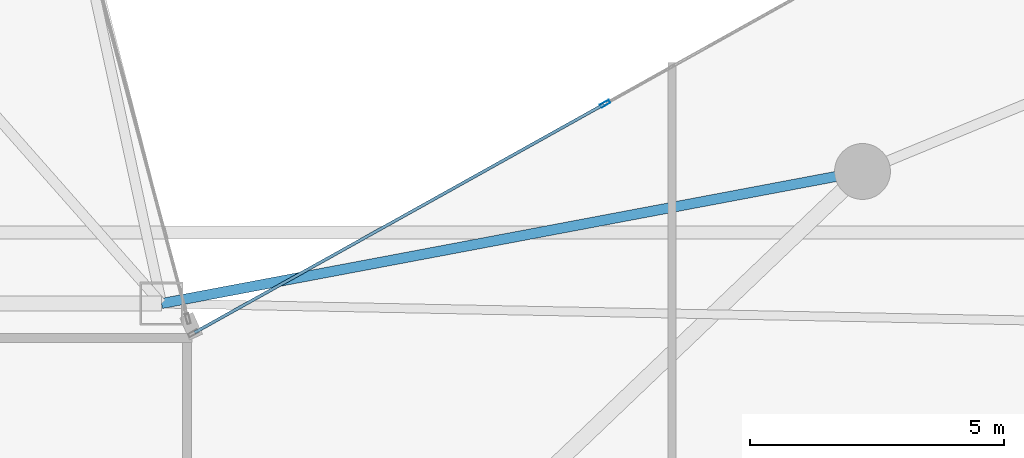
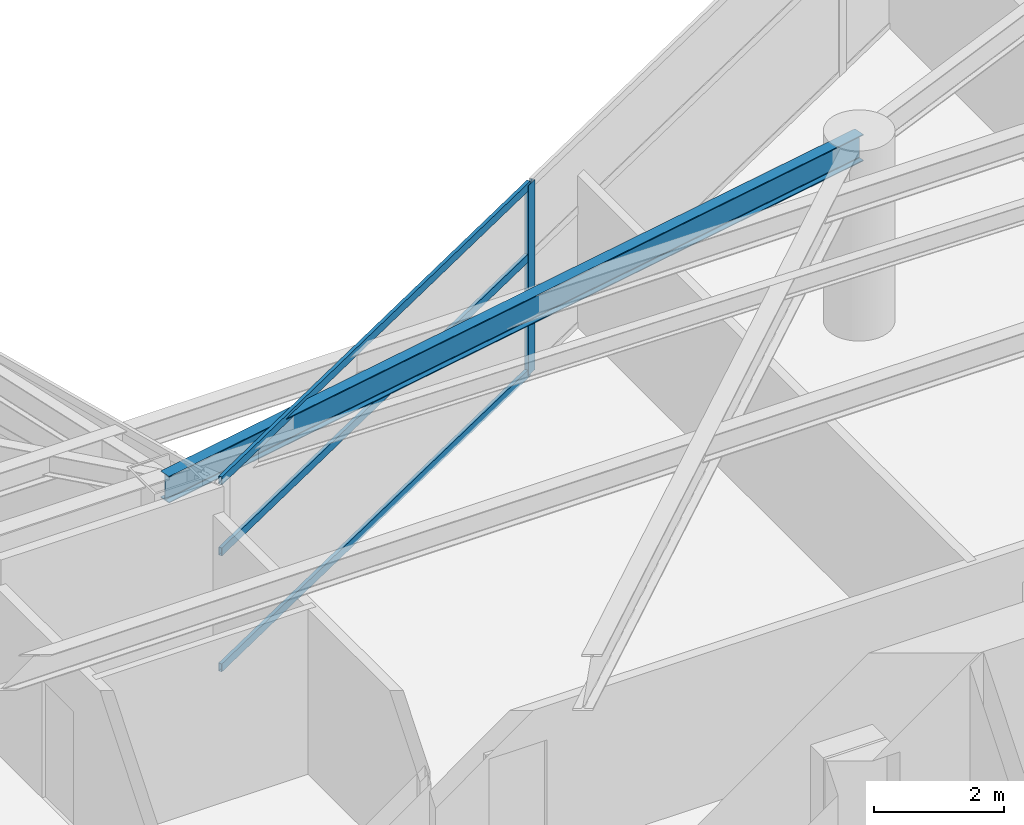
# One storey, part 11 of 28: 4 members, 1 beam, 1 element without a shape of its own.
"""IFC4 building model written with IfcOpenShell, lengths in metres."""

from ifc_helpers import new_model, si_unit, direction, frame, origin, origin_2d, place, context, subcontext, project, spatial, hollow_rectangle, i_section, extrude, material, layer, layer_set, material_profile, profile_set, type_object, element, aggregate, save


model = new_model("IFC4")

# Units and contexts
model_context = context("Model", 3, precision=1e-05, world=origin(), true_north=direction((0.0, 1.0)))
body_context = subcontext(model_context, "Body", "Model", "MODEL_VIEW")
ifc_project = project(units=[si_unit("LENGTHUNIT", "METRE"), si_unit("AREAUNIT", "SQUARE_METRE"), si_unit("VOLUMEUNIT", "CUBIC_METRE"), si_unit("PLANEANGLEUNIT", "RADIAN"), si_unit("MASSUNIT", "GRAM", prefix="KILO")], contexts=[model_context])

# Site, building, storey
site_placement = place(None, origin())
site = spatial("IfcSite", under=ifc_project, at=site_placement, CompositionType="ELEMENT")
building_placement = place(site_placement, origin())
building = spatial("IfcBuilding", under=site, at=building_placement, Name="Calvorn Quay Hotel", CompositionType="ELEMENT")
storey_placement = place(building_placement, frame((0.0, 0.0, 131.60009765625)))
storey = spatial("IfcBuildingStorey", under=building, at=storey_placement, Name="L32", CompositionType="ELEMENT", Elevation=131.60009765625)

# Beam
ifc_material_1 = material(Name="Steel Q355B", Category="steel")
ifc_material_profile_1 = material_profile(ifc_material_1, i_section(OverallWidth=0.199951171875, OverallDepth=0.5, WebThickness=0.010009765625, FlangeThickness=0.01611328125, FilletRadius=0.01611328125, at=origin_2d()), Name="HN500x200x10x16")
ifc_profile_set_1 = profile_set([ifc_material_profile_1], Name="Steel Q355B")
beam_type = type_object("IfcBeamType", Name="BM-SPANDREL-Z1", PredefinedType="SPANDREL", material=ifc_profile_set_1)
beam_placement = place(storey_placement, frame((34.800048828125, 27.60009765625, 3.289794921875), z_axis=(-0.982709432406, -0.185154452988, 0.0), x_axis=(0.185154452988, -0.982709432406, 0.0)))
element("IfcBeam", 1, at=beam_placement, inside=storey, type_object=beam_type, Name="Beam BSP-L32-E5", PredefinedType="SPANDREL", context=body_context, shape_type="SweptSolid", body=[
    extrude(i_section(OverallWidth=0.199951171875, OverallDepth=0.5, WebThickness=0.010009765625, FlangeThickness=0.01611328125, FilletRadius=0.01611328125, at=origin_2d()), origin(), (0.0, 0.0, 1.0), 14.04296875),
])

# Curtain wall, members
ifc_material_2 = material(Name="Pale Anodised Aluminium and Low-E Glass", Category="aluminium")
ifc_layer = layer(ifc_material_2, 0.219970703125)
ifc_layer_set = layer_set([ifc_layer], Name="CW-SYS-Z2")
curtain_wall_type = type_object("IfcCurtainWallType", Name="CW-SYS-Z2", PredefinedType="NOTDEFINED", material=ifc_layer_set)
curtain_wall_placement = place(storey_placement, origin())
curtain_wall = element("IfcCurtainWall", 2, at=curtain_wall_placement, inside=storey, type_object=curtain_wall_type, Name="Inner Court Curtain Wall L32-NE1", PredefinedType="NOTDEFINED")
ifc_material_3 = material(Name="Pale Anodised Aluminium 6063-T6", Category="aluminium")
ifc_material_profile_2 = material_profile(ifc_material_3, hollow_rectangle(XDim=0.070068359375, YDim=0.199951171875, WallThickness=0.00390625, at=origin_2d()), Name="ALU-M200x70x4")
ifc_profile_set_2 = profile_set([ifc_material_profile_2], Name="Pale Anodised Aluminium 6063-T6")
member_type_1 = type_object("IfcMemberType", Name="CW-SYS-Z2-MUL", PredefinedType="MULLION", material=ifc_profile_set_2)
member_1_placement = place(storey_placement, frame((29.7333984375, 28.933349609375, 0.0), z_axis=(0.0, 0.0, 1.0), x_axis=(0.486858256224, -0.873480989116, 0.0)))
member_1 = element("IfcMember", 3, at=member_1_placement, type_object=member_type_1, Name="CW-L32-NE1 mullion 3", PredefinedType="MULLION", context=body_context, shape_type="SweptSolid", body=[
    extrude(hollow_rectangle(XDim=0.070068359375, YDim=0.199951171875, WallThickness=0.00390625, at=origin_2d()), origin(), (0.0, 0.0, 1.0), 3.559814453125),
])
ifc_material_4 = material(Name="Pale Anodised Aluminium 6063-T6", Category="aluminium")
ifc_material_profile_3 = material_profile(ifc_material_4, hollow_rectangle(XDim=0.06005859375, YDim=0.14990234375, WallThickness=0.00341796875, at=origin_2d()), Name="ALU-T150x60x3.5")
ifc_profile_set_3 = profile_set([ifc_material_profile_3], Name="Pale Anodised Aluminium 6063-T6")
member_type_2 = type_object("IfcMemberType", Name="CW-SYS-Z2-TRN", PredefinedType="USERDEFINED", material=ifc_profile_set_3)
member_2_placement = place(storey_placement, frame((29.70703125, 28.918701171875, 0.02978515625), z_axis=(-0.87348080454, -0.486858587375, 0.0), x_axis=(0.486858587375, -0.87348080454, 0.0)))
member_2 = element("IfcMember", 4, at=member_2_placement, type_object=member_type_2, Name="CW-L32-NE1 transom 3.1", ObjectType="TRANSOM", PredefinedType="USERDEFINED", context=body_context, shape_type="SweptSolid", body=[
    extrude(hollow_rectangle(XDim=0.06005859375, YDim=0.14990234375, WallThickness=0.00341796875, at=origin_2d()), origin(), (0.0, 0.0, 1.0), 9.221435546875),
])
member_3_placement = place(storey_placement, frame((29.70703125, 28.918701171875, 2.199951171875), z_axis=(-0.87348080454, -0.486858587375, 0.0), x_axis=(0.486858587375, -0.87348080454, 0.0)))
member_3 = element("IfcMember", 5, at=member_3_placement, type_object=member_type_2, Name="CW-L32-NE1 transom 3.2", ObjectType="TRANSOM", PredefinedType="USERDEFINED", context=body_context, shape_type="SweptSolid", body=[
    extrude(hollow_rectangle(XDim=0.06005859375, YDim=0.14990234375, WallThickness=0.00341796875, at=origin_2d()), origin(), (0.0, 0.0, 1.0), 9.221435546875),
])
member_4_placement = place(storey_placement, frame((29.70703125, 28.918701171875, 3.52978515625), z_axis=(-0.87348080454, -0.486858587375, 0.0), x_axis=(0.486858587375, -0.87348080454, 0.0)))
member_4 = element("IfcMember", 6, at=member_4_placement, type_object=member_type_2, Name="CW-L32-NE1 transom 3.3", ObjectType="TRANSOM", PredefinedType="USERDEFINED", context=body_context, shape_type="SweptSolid", body=[
    extrude(hollow_rectangle(XDim=0.06005859375, YDim=0.14990234375, WallThickness=0.00341796875, at=origin_2d()), origin(), (0.0, 0.0, 1.0), 9.221435546875),
])
aggregate(curtain_wall, [member_1, member_2, member_3, member_4])

save(model, "model.ifc")
